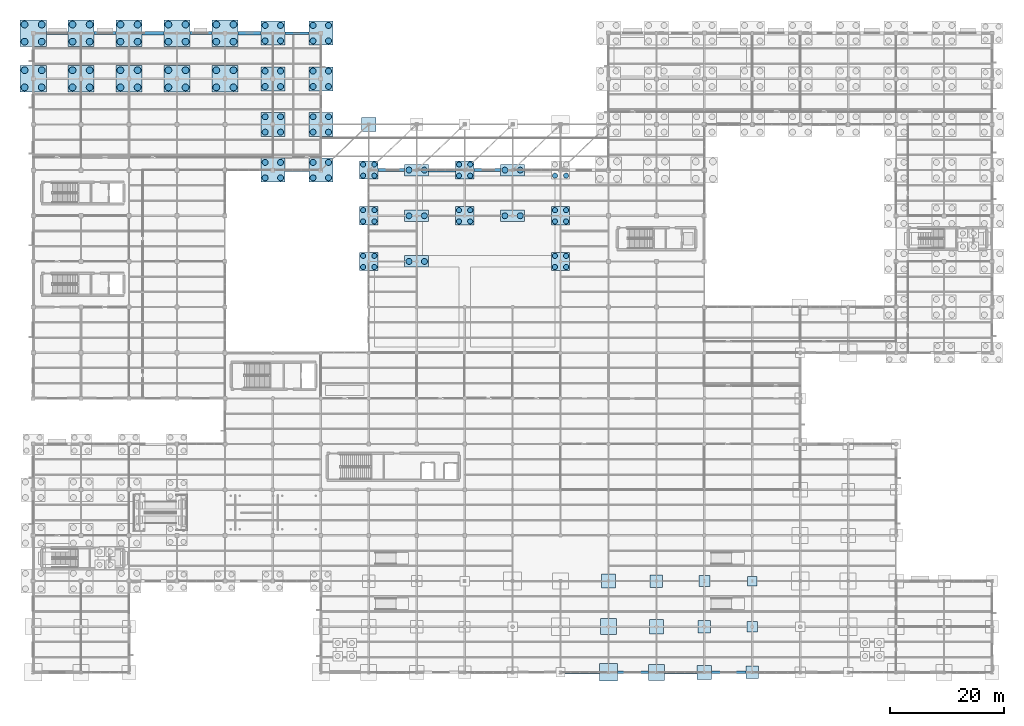
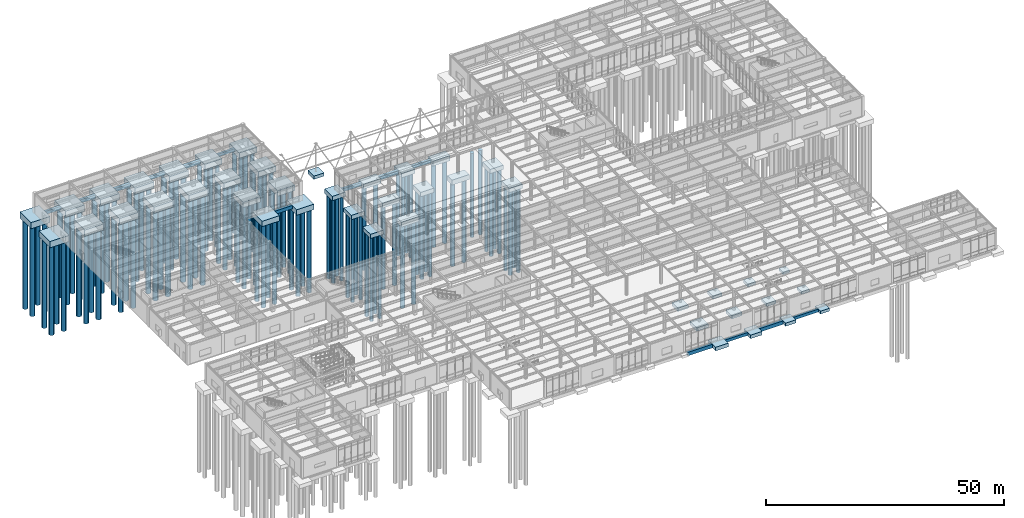
# One storey, part 2 of 138: 112 piles, 57 footings.
"""IFC4 building model written with IfcOpenShell, lengths in metres."""

import ifcopenshell
import ifcopenshell.guid

model = None  # the IFC model being written
_history = None  # IfcOwnerHistory: only IFC2X3 demands one
_inside = {}  # id of a spatial element -> (the spatial element, [elements in it])
_under = {}  # id of a project, library or spatial element -> (it, [spatial elements below it])
_declared = {}  # id of a project -> (the project, [libraries it declares])
_typed = {}  # id of a type object -> (the type object, [elements of that type])
_made_of = {}  # id of a material, layer set ... -> (it, [elements and type objects made of it])


def new_model(schema):
    """Start an empty IFC model of exactly this schema.

    Asked for "IFC4X3", IfcOpenShell would pick the latest addendum, in which some entities
    have other attributes; the version numbers below select the first issue.
    IFC2X3 requires an IfcOwnerHistory on every rooted entity: one is made here for all.
    """
    global model, _history
    if schema == "IFC4X3":
        model = ifcopenshell.file(schema_version=(4, 3, 0, 0))
    else:
        model = ifcopenshell.file(schema=schema)
    _inside.clear()
    _under.clear()
    _declared.clear()
    _typed.clear()
    _made_of.clear()
    _history = None
    if model.schema == "IFC2X3":
        org = make("IfcOrganization", Name="unknown")
        user = make(
            "IfcPersonAndOrganization",
            ThePerson=make("IfcPerson", FamilyName="unknown"),
            TheOrganization=org,
        )
        app = make(
            "IfcApplication",
            ApplicationDeveloper=org,
            Version="unknown",
            ApplicationFullName="unknown",
            ApplicationIdentifier="unknown",
        )
        _history = make(
            "IfcOwnerHistory",
            OwningUser=user,
            OwningApplication=app,
            ChangeAction="ADDED",
            CreationDate=0,
        )
    return model


def make(cls, **values):
    """One entity of the class cls with the attributes given. An attribute that is None is left unset."""
    return model.create_entity(
        cls, **{name: value for name, value in values.items() if value is not None}
    )


def rooted(cls, **values):
    """An entity with a GlobalId (a new one), such as an element, a storey or a relation."""
    return make(cls, GlobalId=ifcopenshell.guid.new(), OwnerHistory=_history, **values)


def si_unit(unit_type, name, prefix=None):
    """IfcSIUnit, for example si_unit("LENGTHUNIT", "METRE", prefix="MILLI")."""
    return make("IfcSIUnit", UnitType=unit_type, Prefix=prefix, Name=name)


def assignment(units):
    """IfcUnitAssignment: the units of a project."""
    return None if units is None else make("IfcUnitAssignment", Units=units)


def point(xyz):
    """IfcCartesianPoint."""
    return None if xyz is None else make("IfcCartesianPoint", Coordinates=xyz)


def direction(xyz):
    """IfcDirection."""
    return None if xyz is None else make("IfcDirection", DirectionRatios=xyz)


def frame(location, z_axis=None, x_axis=None):
    """IfcAxis2Placement3D, a coordinate frame: its origin and axes. An axis left out is left unset."""
    return make(
        "IfcAxis2Placement3D",
        Location=point(location),
        Axis=direction(z_axis),
        RefDirection=direction(x_axis),
    )


def frame_2d(location, x_axis=None):
    """IfcAxis2Placement2D, a coordinate frame in the plane: its origin and x axis."""
    return make(
        "IfcAxis2Placement2D", Location=point(location), RefDirection=direction(x_axis)
    )


def origin():
    """The frame at (0, 0, 0) with its axes left unset."""
    return frame((0.0, 0.0, 0.0))


def origin_2d():
    """The frame at (0, 0) in the plane with its x axis left unset."""
    return frame_2d((0.0, 0.0))


def place(relative_to, where):
    """IfcLocalPlacement: puts the frame where relative to a parent placement (None: the world)."""
    return make(
        "IfcLocalPlacement", PlacementRelTo=relative_to, RelativePlacement=where
    )


def context(
    kind, dimensions, precision=None, world=None, true_north=None, identifier=None
):
    """IfcGeometricRepresentationContext, for example the 3D "Model" context."""
    return make(
        "IfcGeometricRepresentationContext",
        ContextIdentifier=identifier,
        ContextType=kind,
        CoordinateSpaceDimension=dimensions,
        Precision=precision,
        WorldCoordinateSystem=world,
        TrueNorth=true_north,
    )


def subcontext(parent, identifier, kind, view, scale=None):
    """IfcGeometricRepresentationSubContext, for example "Body" below "Model"."""
    return make(
        "IfcGeometricRepresentationSubContext",
        ContextIdentifier=identifier,
        ContextType=kind,
        ParentContext=parent,
        TargetScale=scale,
        TargetView=view,
    )


def project(units=None, contexts=None):
    """IfcProject with its units and contexts."""
    return rooted(
        "IfcProject",
        Name="project",
        RepresentationContexts=contexts,
        UnitsInContext=assignment(units),
    )


def spatial(cls, under=None, at=None, **own):
    """A site, building, storey or space (cls), placed at a placement, below another one or the project."""
    s = rooted(cls, ObjectPlacement=at, **own)
    if under is not None:
        _under.setdefault(under.id(), (under, []))[1].append(s)
    return s


def profile(cls, at=None, kind="AREA", **sizes):
    """A parametric profile (cls). Its sizes go by their IFC names, for example OverallWidth=200.0."""
    return make(cls, ProfileType=kind, Position=at, **sizes)


def rectangle(**sizes):
    """IfcRectangleProfileDef."""
    return profile("IfcRectangleProfileDef", **sizes)


def circle(**sizes):
    """IfcCircleProfileDef."""
    return profile("IfcCircleProfileDef", **sizes)


def extrude(swept, where, along, depth):
    """IfcExtrudedAreaSolid: the profile swept, set in the frame where, extruded along a direction by depth."""
    return make(
        "IfcExtrudedAreaSolid",
        SweptArea=swept,
        Position=where,
        ExtrudedDirection=direction(along),
        Depth=depth,
    )


def shape(context_of_items, identifier, shape_type, items):
    """IfcShapeRepresentation: the items that make up one representation, for example the "Body"."""
    return make(
        "IfcShapeRepresentation",
        ContextOfItems=context_of_items,
        RepresentationIdentifier=identifier,
        RepresentationType=shape_type,
        Items=items,
    )


def material(Name=None, Category=None):
    """IfcMaterial."""
    return make("IfcMaterial", Name=Name, Category=Category)


def material_profile(
    of_material, cross_section, Name=None, Category=None, Priority=None
):
    """IfcMaterialProfile: a cross section and its material."""
    return make(
        "IfcMaterialProfile",
        Name=Name,
        Material=of_material,
        Profile=cross_section,
        Priority=Priority,
        Category=Category,
    )


def profile_set(profiles, Name=None, composite=None):
    """IfcMaterialProfileSet."""
    return make(
        "IfcMaterialProfileSet",
        Name=Name,
        MaterialProfiles=profiles,
        CompositeProfile=composite,
    )


def made_of(thing, what):
    """Note that an element or type object is made of a material, layer set ...; save() writes the relation."""
    if what is not None:
        _made_of.setdefault(what.id(), (what, []))[1].append(thing)
    return thing


def type_object(cls, material=None, **own):
    """A type object (cls), such as IfcWallType, which elements share."""
    return made_of(rooted(cls, **own), material)


def element(
    cls,
    number,
    at=None,
    inside=None,
    cuts=None,
    type_object=None,
    material=None,
    context=None,
    identifier="Body",
    shape_type=None,
    held_by="IfcProductDefinitionShape",
    body=None,
    shapes=None,
    **own,
):
    """One element of the class cls, such as IfcWall. Its Tag is "e" and its number.

    at: its placement. inside: the storey or other place that contains it. cuts: it is an
    opening in that element (IfcRelVoidsElement). A single representation is given by context,
    identifier, shape_type and body (its items); several are given by shapes. held_by: the class
    of the entity that holds the representations. save() writes the other relations.
    """
    e = rooted(cls, Tag="e%d" % number, ObjectPlacement=at, **own)
    if body is not None:
        shapes = [shape(context, identifier, shape_type, body)]
    if shapes is not None:
        e.Representation = make(held_by, Representations=shapes)
    if inside is not None:
        _inside.setdefault(inside.id(), (inside, []))[1].append(e)
    if cuts is not None:
        rooted(
            "IfcRelVoidsElement", RelatingBuildingElement=cuts, RelatedOpeningElement=e
        )
    if type_object is not None:
        _typed.setdefault(type_object.id(), (type_object, []))[1].append(e)
    return made_of(e, material)


def aggregate(whole, parts):
    """IfcRelAggregates: a whole, such as a stair, and the parts it consists of."""
    return rooted("IfcRelAggregates", RelatingObject=whole, RelatedObjects=parts)


def save(model, path):
    """Write the relations noted so far, then the file.

    IfcRelAggregates (storeys below a building ...), IfcRelContainedInSpatialStructure (elements
    in a storey), IfcRelDefinesByType, IfcRelAssociatesMaterial and IfcRelDeclares: one each for
    every whole, place, type object, material and project.
    """
    for whole, parts in _under.values():
        aggregate(whole, parts)
    for where, things in _inside.values():
        rooted(
            "IfcRelContainedInSpatialStructure",
            RelatedElements=things,
            RelatingStructure=where,
        )
    for kind, things in _typed.values():
        rooted("IfcRelDefinesByType", RelatedObjects=things, RelatingType=kind)
    for what, things in _made_of.values():
        rooted("IfcRelAssociatesMaterial", RelatedObjects=things, RelatingMaterial=what)
    for by, libraries in _declared.values():
        rooted("IfcRelDeclares", RelatingContext=by, RelatedDefinitions=libraries)
    model.write(path)


model = new_model("IFC4")

# Units and contexts
model_context = context("Model", 3, precision=1e-05, world=origin(), true_north=direction((0.0, 1.0)))
body_context = subcontext(model_context, "Body", "Model", "MODEL_VIEW")
ifc_project = project(units=[si_unit("LENGTHUNIT", "METRE"), si_unit("AREAUNIT", "SQUARE_METRE"), si_unit("VOLUMEUNIT", "CUBIC_METRE"), si_unit("PLANEANGLEUNIT", "RADIAN"), si_unit("MASSUNIT", "GRAM", prefix="KILO")], contexts=[model_context])

# Site, building, storey
site_placement = place(None, origin())
site = spatial("IfcSite", under=ifc_project, at=site_placement, CompositionType="ELEMENT")
building_placement = place(site_placement, origin())
building = spatial("IfcBuilding", under=site, at=building_placement, Name="Kranzveld Transit Interchange", CompositionType="ELEMENT")
storey_placement = place(building_placement, origin())
storey = spatial("IfcBuildingStorey", under=building, at=storey_placement, Name="L00", CompositionType="ELEMENT", Elevation=0.0)

# Footings
ifc_material_1 = material(Name="Concrete C40/50", Category="concrete")
ifc_material_profile_1 = material_profile(ifc_material_1, rectangle(XDim=0.449951171875, YDim=0.75, at=origin_2d()), Name="RC 450x750")
ifc_profile_set_1 = profile_set([ifc_material_profile_1], Name="Concrete C40/50")
footing_type_1 = type_object("IfcFootingType", Name="Footing Beam 450x750 C40/50", PredefinedType="FOOTING_BEAM", material=ifc_profile_set_1)
footing_1_placement = place(storey_placement, frame((44.10009765625, 112.0, -0.794921875), z_axis=(1.0, 0.0, 0.0), x_axis=(0.0, 1.0, 0.0)))
element("IfcFooting", 1, at=footing_1_placement, inside=storey, type_object=footing_type_1, Name="Ground Tie Beam 06-07/Q", PredefinedType="FOOTING_BEAM", context=body_context, shape_type="SweptSolid", body=[
    extrude(rectangle(XDim=0.449951171875, YDim=0.75, at=origin_2d()), origin(), (0.0, 0.0, 1.0), 4.199951171875),
])
footing_2_placement = place(storey_placement, frame((102.35009765625, 0.0, -0.794921875), z_axis=(1.0, 0.0, 0.0), x_axis=(0.0, 1.0, 0.0)))
element("IfcFooting", 2, at=footing_2_placement, inside=storey, type_object=footing_type_1, Name="Ground Tie Beam 13-14/A", PredefinedType="FOOTING_BEAM", context=body_context, shape_type="SweptSolid", body=[
    extrude(rectangle(XDim=0.449951171875, YDim=0.75, at=origin_2d()), origin(), (0.0, 0.0, 1.0), 5.449951171875),
])
footing_3_placement = place(storey_placement, frame((118.85009765625, 0.0, -0.794921875), z_axis=(1.0, 0.0, 0.0), x_axis=(0.0, 1.0, 0.0)))
element("IfcFooting", 3, at=footing_3_placement, inside=storey, type_object=footing_type_1, Name="Ground Tie Beam 15-16/A", PredefinedType="FOOTING_BEAM", context=body_context, shape_type="SweptSolid", body=[
    extrude(rectangle(XDim=0.449951171875, YDim=0.75, at=origin_2d()), origin(), (0.0, 0.0, 1.0), 6.0498046875),
])
ifc_material_2 = material(Name="Concrete C40/50", Category="concrete")
ifc_material_profile_2 = material_profile(ifc_material_2, rectangle(XDim=0.5, YDim=0.85009765625, at=origin_2d()), Name="RC 500x850")
ifc_profile_set_2 = profile_set([ifc_material_profile_2], Name="Concrete C40/50")
footing_type_2 = type_object("IfcFootingType", Name="Footing Beam 500x850 C40/50", PredefinedType="FOOTING_BEAM", material=ifc_profile_set_2)
for number, where, z_axis, x_axis, name in (
    (4, (2.300048828125, 112.0, -0.844970703125), (1.0, 0.0, 0.0), (0.0, 1.0, 0.0), "Ground Tie Beam 01-02/Q"),
    (5, (27.5, 112.0, -0.844970703125), (1.0, 0.0, 0.0), (0.0, 1.0, 0.0), "Ground Tie Beam 04-05/Q"),
):
    element("IfcFooting", number, at=place(storey_placement, frame(where, z_axis=z_axis, x_axis=x_axis)), inside=storey, type_object=footing_type_2, Name=name, PredefinedType="FOOTING_BEAM", context=body_context, shape_type="SweptSolid", body=[
        extrude(rectangle(XDim=0.5, YDim=0.85009765625, at=origin_2d()), origin(), (0.0, 0.0, 1.0), 3.800048828125),
    ])
footing_4_placement = place(storey_placement, frame((44.10009765625, 88.0, -0.844970703125), z_axis=(1.0, 0.0, 0.0), x_axis=(0.0, 1.0, 0.0)))
element("IfcFooting", 6, at=footing_4_placement, inside=storey, type_object=footing_type_2, Name="Ground Tie Beam 06-07/M", PredefinedType="FOOTING_BEAM", context=body_context, shape_type="SweptSolid", body=[
    extrude(rectangle(XDim=0.5, YDim=0.85009765625, at=origin_2d()), origin(), (0.0, 0.0, 1.0), 4.199951171875),
])
footing_5_placement = place(storey_placement, frame((60.39990234375, 88.0, -0.844970703125), z_axis=(1.0, 0.0, 0.0), x_axis=(0.0, 1.0, 0.0)))
element("IfcFooting", 7, at=footing_5_placement, inside=storey, type_object=footing_type_2, Name="Ground Tie Beam 08-09/M", PredefinedType="FOOTING_BEAM", context=body_context, shape_type="SweptSolid", body=[
    extrude(rectangle(XDim=0.5, YDim=0.85009765625, at=origin_2d()), origin(), (0.0, 0.0, 1.0), 4.7001953125),
])
footing_6_placement = place(storey_placement, frame((77.199951171875, 88.0, -0.844970703125), z_axis=(1.0, 0.0, 0.0), x_axis=(0.0, 1.0, 0.0)))
element("IfcFooting", 8, at=footing_6_placement, inside=storey, type_object=footing_type_2, Name="Ground Tie Beam 10-11/M", PredefinedType="FOOTING_BEAM", context=body_context, shape_type="SweptSolid", body=[
    extrude(rectangle(XDim=0.5, YDim=0.85009765625, at=origin_2d()), origin(), (0.0, 0.0, 1.0), 4.699951171875),
])
ifc_material_3 = material(Name="Concrete C40/50", Category="concrete")
ifc_material_profile_3 = material_profile(ifc_material_3, rectangle(XDim=0.550048828125, YDim=0.89990234375, at=origin_2d()), Name="RC 550x900")
ifc_profile_set_3 = profile_set([ifc_material_profile_3], Name="Concrete C40/50")
footing_type_3 = type_object("IfcFootingType", Name="Footing Beam 550x900 C40/50", PredefinedType="FOOTING_BEAM", material=ifc_profile_set_3)
footing_7_placement = place(storey_placement, frame((10.699951171875, 112.0, -0.8701171875), z_axis=(1.0, 0.0, 0.0), x_axis=(0.0, 1.0, 0.0)))
element("IfcFooting", 9, at=footing_7_placement, inside=storey, type_object=footing_type_3, Name="Ground Tie Beam 02-03/Q", PredefinedType="FOOTING_BEAM", context=body_context, shape_type="SweptSolid", body=[
    extrude(rectangle(XDim=0.550048828125, YDim=0.89990234375, at=origin_2d()), origin(), (0.0, 0.0, 1.0), 3.800048828125),
])
footing_8_placement = place(storey_placement, frame((93.22509765625, 0.0, -0.8701171875), z_axis=(1.0, 0.0, 0.0), x_axis=(0.0, 1.0, 0.0)))
element("IfcFooting", 10, at=footing_8_placement, inside=storey, type_object=footing_type_3, Name="Ground Tie Beam 12-13/A", PredefinedType="FOOTING_BEAM", context=body_context, shape_type="SweptSolid", body=[
    extrude(rectangle(XDim=0.550048828125, YDim=0.89990234375, at=origin_2d()), origin(), (0.0, 0.0, 1.0), 6.02490234375),
])
footing_9_placement = place(storey_placement, frame((110.60009765625, 0.0, -0.8701171875), z_axis=(1.0, 0.0, 0.0), x_axis=(0.0, 1.0, 0.0)))
element("IfcFooting", 11, at=footing_9_placement, inside=storey, type_object=footing_type_3, Name="Ground Tie Beam 14-15/A", PredefinedType="FOOTING_BEAM", context=body_context, shape_type="SweptSolid", body=[
    extrude(rectangle(XDim=0.550048828125, YDim=0.89990234375, at=origin_2d()), origin(), (0.0, 0.0, 1.0), 5.75),
])
ifc_material_4 = material(Name="Concrete C40/50", Category="concrete")
ifc_material_profile_4 = material_profile(ifc_material_4, rectangle(XDim=0.60009765625, YDim=0.949951171875, at=origin_2d()), Name="RC 600x950")
ifc_profile_set_4 = profile_set([ifc_material_profile_4], Name="Concrete C40/50")
footing_type_4 = type_object("IfcFootingType", Name="Footing Beam 600x950 C40/50", PredefinedType="FOOTING_BEAM", material=ifc_profile_set_4)
footing_10_placement = place(storey_placement, frame((19.10009765625, 112.0, -0.89501953125), z_axis=(1.0, 0.0, 0.0), x_axis=(0.0, 1.0, 0.0)))
element("IfcFooting", 12, at=footing_10_placement, inside=storey, type_object=footing_type_4, Name="Ground Tie Beam 03-04/Q", PredefinedType="FOOTING_BEAM", context=body_context, shape_type="SweptSolid", body=[
    extrude(rectangle(XDim=0.60009765625, YDim=0.949951171875, at=origin_2d()), origin(), (0.0, 0.0, 1.0), 3.7998046875),
])
footing_11_placement = place(storey_placement, frame((35.89990234375, 112.0, -0.89501953125), z_axis=(1.0, 0.0, 0.0), x_axis=(0.0, 1.0, 0.0)))
element("IfcFooting", 13, at=footing_11_placement, inside=storey, type_object=footing_type_4, Name="Ground Tie Beam 05-06/Q", PredefinedType="FOOTING_BEAM", context=body_context, shape_type="SweptSolid", body=[
    extrude(rectangle(XDim=0.60009765625, YDim=0.949951171875, at=origin_2d()), origin(), (0.0, 0.0, 1.0), 4.0),
])
footing_12_placement = place(storey_placement, frame((69.300048828125, 88.0, -0.89501953125), z_axis=(1.0, 0.0, 0.0), x_axis=(0.0, 1.0, 0.0)))
element("IfcFooting", 14, at=footing_12_placement, inside=storey, type_object=footing_type_4, Name="Ground Tie Beam 09-10/M", PredefinedType="FOOTING_BEAM", context=body_context, shape_type="SweptSolid", body=[
    extrude(rectangle(XDim=0.60009765625, YDim=0.949951171875, at=origin_2d()), origin(), (0.0, 0.0, 1.0), 4.699951171875),
])
ifc_material_5 = material(Name="Concrete C40/50", Category="concrete")
footing_type_5 = type_object("IfcFootingType", Name="Pad Footing 1650x1650x650 C40/50", PredefinedType="PAD_FOOTING", material=ifc_material_5)
footing_13_placement = place(storey_placement, frame((126.0, 16.0, -1.070068359375), z_axis=(0.0, 0.0, 1.0), x_axis=(1.0, 0.0, 0.0)))
element("IfcFooting", 15, at=footing_13_placement, inside=storey, type_object=footing_type_5, Name="Pad Footing 16/C", PredefinedType="PAD_FOOTING", context=body_context, shape_type="SweptSolid", body=[
    extrude(rectangle(XDim=1.64990234375, YDim=1.64990234375, at=origin_2d()), origin(), (0.0, 0.0, 1.0), 0.64990234375),
])
ifc_material_6 = material(Name="Concrete C40/50", Category="concrete")
footing_type_6 = type_object("IfcFootingType", Name="Pad Footing 1900x1900x700 C40/50", PredefinedType="PAD_FOOTING", material=ifc_material_6)
for number, where, z_axis, x_axis, name in (
    (16, (117.60009765625, 16.0, -1.1201171875), (0.0, 0.0, 1.0), (1.0, 0.0, 0.0), "Pad Footing 15/C"),
    (17, (126.0, 8.0, -1.1201171875), (0.0, 0.0, 1.0), (1.0, 0.0, 0.0), "Pad Footing 16/B"),
):
    element("IfcFooting", number, at=place(storey_placement, frame(where, z_axis=z_axis, x_axis=x_axis)), inside=storey, type_object=footing_type_6, Name=name, PredefinedType="PAD_FOOTING", context=body_context, shape_type="SweptSolid", body=[
        extrude(rectangle(XDim=1.89990234375, YDim=1.89990234375, at=origin_2d()), origin(), (0.0, 0.0, 1.0), 0.699951171875),
    ])
ifc_material_7 = material(Name="Concrete C40/50", Category="concrete")
footing_type_7 = type_object("IfcFootingType", Name="Pad Footing 2200x2200x760 C40/50", PredefinedType="PAD_FOOTING", material=ifc_material_7)
for number, where, z_axis, x_axis, name in (
    (18, (109.199951171875, 16.0, -1.18017578125), (0.0, 0.0, 1.0), (1.0, 0.0, 0.0), "Pad Footing 14/C"),
    (19, (117.60009765625, 8.0, -1.18017578125), (0.0, 0.0, 1.0), (1.0, 0.0, 0.0), "Pad Footing 15/B"),
    (20, (126.0, 0.0, -1.18017578125), (0.0, 0.0, 1.0), (1.0, 0.0, 0.0), "Pad Footing 16/A"),
):
    element("IfcFooting", number, at=place(storey_placement, frame(where, z_axis=z_axis, x_axis=x_axis)), inside=storey, type_object=footing_type_7, Name=name, PredefinedType="PAD_FOOTING", context=body_context, shape_type="SweptSolid", body=[
        extrude(rectangle(XDim=2.199951171875, YDim=2.199951171875, at=origin_2d()), origin(), (0.0, 0.0, 1.0), 0.760009765625),
    ])
ifc_material_8 = material(Name="Concrete C40/50", Category="concrete")
footing_type_8 = type_object("IfcFootingType", Name="Pad Footing 2500x2500x820 C40/50", PredefinedType="PAD_FOOTING", material=ifc_material_8)
for number, where, z_axis, x_axis, name in (
    (21, (58.800048828125, 96.0, -1.240234375), (0.0, 0.0, 1.0), (1.0, 0.0, 0.0), "Pad Footing 08/N"),
    (22, (100.800048828125, 16.0, -1.240234375), (0.0, 0.0, 1.0), (1.0, 0.0, 0.0), "Pad Footing 13/C"),
    (23, (109.199951171875, 8.0, -1.240234375), (0.0, 0.0, 1.0), (1.0, 0.0, 0.0), "Pad Footing 14/B"),
    (24, (117.60009765625, 0.0, -1.240234375), (0.0, 0.0, 1.0), (1.0, 0.0, 0.0), "Pad Footing 15/A"),
):
    element("IfcFooting", number, at=place(storey_placement, frame(where, z_axis=z_axis, x_axis=x_axis)), inside=storey, type_object=footing_type_8, Name=name, PredefinedType="PAD_FOOTING", context=body_context, shape_type="SweptSolid", body=[
        extrude(rectangle(XDim=2.5, YDim=2.5, at=origin_2d()), origin(), (0.0, 0.0, 1.0), 0.820068359375),
    ])
ifc_material_9 = material(Name="Concrete C40/50", Category="concrete")
footing_type_9 = type_object("IfcFootingType", Name="Pad Footing 2800x2800x900 C40/50", PredefinedType="PAD_FOOTING", material=ifc_material_9)
for number, where, z_axis, x_axis, name in (
    (25, (100.800048828125, 8.0, -1.320068359375), (0.0, 0.0, 1.0), (1.0, 0.0, 0.0), "Pad Footing 13/B"),
    (26, (109.199951171875, 0.0, -1.320068359375), (0.0, 0.0, 1.0), (1.0, 0.0, 0.0), "Pad Footing 14/A"),
):
    element("IfcFooting", number, at=place(storey_placement, frame(where, z_axis=z_axis, x_axis=x_axis)), inside=storey, type_object=footing_type_9, Name=name, PredefinedType="PAD_FOOTING", context=body_context, shape_type="SweptSolid", body=[
        extrude(rectangle(XDim=2.800048828125, YDim=2.800048828125, at=origin_2d()), origin(), (0.0, 0.0, 1.0), 0.89990234375),
    ])
ifc_material_10 = material(Name="Concrete C40/50", Category="concrete")
footing_type_10 = type_object("IfcFootingType", Name="Pad Footing 3100x3100x950 C40/50", PredefinedType="PAD_FOOTING", material=ifc_material_10)
footing_14_placement = place(storey_placement, frame((100.800048828125, 0.0, -1.3701171875), z_axis=(0.0, 0.0, 1.0), x_axis=(1.0, 0.0, 0.0)))
element("IfcFooting", 27, at=footing_14_placement, inside=storey, type_object=footing_type_10, Name="Pad Footing 13/A", PredefinedType="PAD_FOOTING", context=body_context, shape_type="SweptSolid", body=[
    extrude(rectangle(XDim=3.10009765625, YDim=3.10009765625, at=origin_2d()), origin(), (0.0, 0.0, 1.0), 0.949951171875),
])

# Piles
ifc_material_11 = material(Name="Concrete C40/50", Category="concrete")
ifc_material_profile_5 = material_profile(ifc_material_11, circle(Radius=0.52490234375, at=origin_2d()), Name="BORED PILE 1050")
ifc_profile_set_5 = profile_set([ifc_material_profile_5], Name="Concrete C40/50")
pile_type_1 = type_object("IfcPileType", Name="Pile Bored 1050 C40/50", PredefinedType="BORED", material=ifc_profile_set_5)
for number, where, z_axis, x_axis, name in (
    (28, (40.64990234375, 86.64990234375, -1.719970703125), (0.0, 0.0, -1.0), (1.0, 0.0, 0.0), "Bored Pile 06/M-P1"),
    (29, (43.35009765625, 86.64990234375, -1.719970703125), (0.0, 0.0, -1.0), (1.0, 0.0, 0.0), "Bored Pile 06/M-P2"),
    (30, (40.64990234375, 89.35009765625, -1.719970703125), (0.0, 0.0, -1.0), (1.0, 0.0, 0.0), "Bored Pile 06/M-P3"),
    (31, (43.35009765625, 89.35009765625, -1.719970703125), (0.0, 0.0, -1.0), (1.0, 0.0, 0.0), "Bored Pile 06/M-P4"),
    (32, (40.64990234375, 94.64990234375, -1.719970703125), (0.0, 0.0, -1.0), (1.0, 0.0, 0.0), "Bored Pile 06/N-P1"),
    (33, (43.35009765625, 94.64990234375, -1.719970703125), (0.0, 0.0, -1.0), (1.0, 0.0, 0.0), "Bored Pile 06/N-P2"),
    (34, (40.64990234375, 97.35009765625, -1.719970703125), (0.0, 0.0, -1.0), (1.0, 0.0, 0.0), "Bored Pile 06/N-P3"),
    (35, (43.35009765625, 97.35009765625, -1.719970703125), (0.0, 0.0, -1.0), (1.0, 0.0, 0.0), "Bored Pile 06/N-P4"),
    (36, (40.64990234375, 102.64990234375, -1.719970703125), (0.0, 0.0, -1.0), (1.0, 0.0, 0.0), "Bored Pile 06/P-P1"),
    (37, (43.35009765625, 102.64990234375, -1.719970703125), (0.0, 0.0, -1.0), (1.0, 0.0, 0.0), "Bored Pile 06/P-P2"),
    (38, (40.64990234375, 105.35009765625, -1.719970703125), (0.0, 0.0, -1.0), (1.0, 0.0, 0.0), "Bored Pile 06/P-P3"),
    (39, (43.35009765625, 105.35009765625, -1.719970703125), (0.0, 0.0, -1.0), (1.0, 0.0, 0.0), "Bored Pile 06/P-P4"),
    (40, (40.64990234375, 110.64990234375, -1.719970703125), (0.0, 0.0, -1.0), (1.0, 0.0, 0.0), "Bored Pile 06/Q-P1"),
    (41, (43.35009765625, 110.64990234375, -1.719970703125), (0.0, 0.0, -1.0), (1.0, 0.0, 0.0), "Bored Pile 06/Q-P2"),
    (42, (40.64990234375, 113.35009765625, -1.719970703125), (0.0, 0.0, -1.0), (1.0, 0.0, 0.0), "Bored Pile 06/Q-P3"),
    (43, (43.35009765625, 113.35009765625, -1.719970703125), (0.0, 0.0, -1.0), (1.0, 0.0, 0.0), "Bored Pile 06/Q-P4"),
    (44, (49.050048828125, 86.64990234375, -1.719970703125), (0.0, 0.0, -1.0), (1.0, 0.0, 0.0), "Bored Pile 07/M-P1"),
    (45, (51.75, 86.64990234375, -1.719970703125), (0.0, 0.0, -1.0), (1.0, 0.0, 0.0), "Bored Pile 07/M-P2"),
    (46, (49.050048828125, 89.35009765625, -1.719970703125), (0.0, 0.0, -1.0), (1.0, 0.0, 0.0), "Bored Pile 07/M-P3"),
    (47, (51.75, 89.35009765625, -1.719970703125), (0.0, 0.0, -1.0), (1.0, 0.0, 0.0), "Bored Pile 07/M-P4"),
    (48, (49.050048828125, 94.64990234375, -1.719970703125), (0.0, 0.0, -1.0), (1.0, 0.0, 0.0), "Bored Pile 07/N-P1"),
    (49, (51.75, 94.64990234375, -1.719970703125), (0.0, 0.0, -1.0), (1.0, 0.0, 0.0), "Bored Pile 07/N-P2"),
    (50, (49.050048828125, 97.35009765625, -1.719970703125), (0.0, 0.0, -1.0), (1.0, 0.0, 0.0), "Bored Pile 07/N-P3"),
    (51, (51.75, 97.35009765625, -1.719970703125), (0.0, 0.0, -1.0), (1.0, 0.0, 0.0), "Bored Pile 07/N-P4"),
    (52, (49.050048828125, 102.64990234375, -1.719970703125), (0.0, 0.0, -1.0), (1.0, 0.0, 0.0), "Bored Pile 07/P-P1"),
    (53, (51.75, 102.64990234375, -1.719970703125), (0.0, 0.0, -1.0), (1.0, 0.0, 0.0), "Bored Pile 07/P-P2"),
    (54, (49.050048828125, 105.35009765625, -1.719970703125), (0.0, 0.0, -1.0), (1.0, 0.0, 0.0), "Bored Pile 07/P-P3"),
    (55, (51.75, 105.35009765625, -1.719970703125), (0.0, 0.0, -1.0), (1.0, 0.0, 0.0), "Bored Pile 07/P-P4"),
    (56, (49.050048828125, 110.64990234375, -1.719970703125), (0.0, 0.0, -1.0), (1.0, 0.0, 0.0), "Bored Pile 07/Q-P1"),
    (57, (51.75, 110.64990234375, -1.719970703125), (0.0, 0.0, -1.0), (1.0, 0.0, 0.0), "Bored Pile 07/Q-P2"),
    (58, (49.050048828125, 113.35009765625, -1.719970703125), (0.0, 0.0, -1.0), (1.0, 0.0, 0.0), "Bored Pile 07/Q-P3"),
    (59, (51.75, 113.35009765625, -1.719970703125), (0.0, 0.0, -1.0), (1.0, 0.0, 0.0), "Bored Pile 07/Q-P4"),
):
    element("IfcPile", number, at=place(storey_placement, frame(where, z_axis=z_axis, x_axis=x_axis)), inside=storey, type_object=pile_type_1, Name=name, PredefinedType="BORED", context=body_context, shape_type="SweptSolid", body=[
        extrude(circle(Radius=0.52490234375, at=origin_2d()), origin(), (0.0, 0.0, 1.0), 21.280029296875),
    ])
for number, where, z_axis, x_axis, name in (
    (60, (65.85009765625, 72.0, -1.6201171875), (0.0, 0.0, -1.0), (1.0, 0.0, 0.0), "Bored Pile 09/K-P1"),
    (61, (68.550048828125, 72.0, -1.6201171875), (0.0, 0.0, -1.0), (1.0, 0.0, 0.0), "Bored Pile 09/K-P2"),
    (62, (65.85009765625, 80.0, -1.6201171875), (0.0, 0.0, -1.0), (1.0, 0.0, 0.0), "Bored Pile 09/L-P1"),
    (63, (68.550048828125, 80.0, -1.6201171875), (0.0, 0.0, -1.0), (1.0, 0.0, 0.0), "Bored Pile 09/L-P2"),
    (64, (65.85009765625, 88.0, -1.6201171875), (0.0, 0.0, -1.0), (1.0, 0.0, 0.0), "Bored Pile 09/M-P1"),
    (65, (68.550048828125, 88.0, -1.6201171875), (0.0, 0.0, -1.0), (1.0, 0.0, 0.0), "Bored Pile 09/M-P2"),
    (66, (82.64990234375, 80.0, -1.6201171875), (0.0, 0.0, -1.0), (1.0, 0.0, 0.0), "Bored Pile 11/L-P1"),
    (67, (85.35009765625, 80.0, -1.6201171875), (0.0, 0.0, -1.0), (1.0, 0.0, 0.0), "Bored Pile 11/L-P2"),
    (68, (82.64990234375, 88.0, -1.6201171875), (0.0, 0.0, -1.0), (1.0, 0.0, 0.0), "Bored Pile 11/M-P1"),
    (69, (85.35009765625, 88.0, -1.6201171875), (0.0, 0.0, -1.0), (1.0, 0.0, 0.0), "Bored Pile 11/M-P2"),
):
    element("IfcPile", number, at=place(storey_placement, frame(where, z_axis=z_axis, x_axis=x_axis)), inside=storey, type_object=pile_type_1, Name=name, PredefinedType="BORED", context=body_context, shape_type="SweptSolid", body=[
        extrude(circle(Radius=0.52490234375, at=origin_2d()), origin(), (0.0, 0.0, 1.0), 21.3798828125),
    ])
ifc_material_12 = material(Name="Concrete C40/50", Category="concrete")
ifc_material_profile_6 = material_profile(ifc_material_12, circle(Radius=0.60009765625, at=origin_2d()), Name="BORED PILE 1200")
ifc_profile_set_6 = profile_set([ifc_material_profile_6], Name="Concrete C40/50")
pile_type_2 = type_object("IfcPileType", Name="Pile Bored 1200 C40/50", PredefinedType="BORED", material=ifc_profile_set_6)
for number, where, z_axis, x_axis, name in (
    (70, (-1.5, 102.5, -1.919921875), (0.0, 0.0, -1.0), (1.0, 0.0, 0.0), "Bored Pile 01/P-P1"),
    (71, (1.5, 102.5, -1.919921875), (0.0, 0.0, -1.0), (1.0, 0.0, 0.0), "Bored Pile 01/P-P2"),
    (72, (-1.5, 105.5, -1.919921875), (0.0, 0.0, -1.0), (1.0, 0.0, 0.0), "Bored Pile 01/P-P3"),
    (73, (1.5, 105.5, -1.919921875), (0.0, 0.0, -1.0), (1.0, 0.0, 0.0), "Bored Pile 01/P-P4"),
    (74, (-1.5, 110.5, -1.919921875), (0.0, 0.0, -1.0), (1.0, 0.0, 0.0), "Bored Pile 01/Q-P1"),
    (75, (1.5, 110.5, -1.919921875), (0.0, 0.0, -1.0), (1.0, 0.0, 0.0), "Bored Pile 01/Q-P2"),
    (76, (-1.5, 113.5, -1.919921875), (0.0, 0.0, -1.0), (1.0, 0.0, 0.0), "Bored Pile 01/Q-P3"),
    (77, (1.5, 113.5, -1.919921875), (0.0, 0.0, -1.0), (1.0, 0.0, 0.0), "Bored Pile 01/Q-P4"),
    (78, (6.89990234375, 102.5, -1.919921875), (0.0, 0.0, -1.0), (1.0, 0.0, 0.0), "Bored Pile 02/P-P1"),
    (79, (9.89990234375, 102.5, -1.919921875), (0.0, 0.0, -1.0), (1.0, 0.0, 0.0), "Bored Pile 02/P-P2"),
    (80, (6.89990234375, 105.5, -1.919921875), (0.0, 0.0, -1.0), (1.0, 0.0, 0.0), "Bored Pile 02/P-P3"),
    (81, (9.89990234375, 105.5, -1.919921875), (0.0, 0.0, -1.0), (1.0, 0.0, 0.0), "Bored Pile 02/P-P4"),
    (82, (6.89990234375, 110.5, -1.919921875), (0.0, 0.0, -1.0), (1.0, 0.0, 0.0), "Bored Pile 02/Q-P1"),
    (83, (9.89990234375, 110.5, -1.919921875), (0.0, 0.0, -1.0), (1.0, 0.0, 0.0), "Bored Pile 02/Q-P2"),
    (84, (6.89990234375, 113.5, -1.919921875), (0.0, 0.0, -1.0), (1.0, 0.0, 0.0), "Bored Pile 02/Q-P3"),
    (85, (9.89990234375, 113.5, -1.919921875), (0.0, 0.0, -1.0), (1.0, 0.0, 0.0), "Bored Pile 02/Q-P4"),
    (86, (15.300048828125, 102.5, -1.919921875), (0.0, 0.0, -1.0), (1.0, 0.0, 0.0), "Bored Pile 03/P-P1"),
    (87, (18.300048828125, 102.5, -1.919921875), (0.0, 0.0, -1.0), (1.0, 0.0, 0.0), "Bored Pile 03/P-P2"),
    (88, (15.300048828125, 105.5, -1.919921875), (0.0, 0.0, -1.0), (1.0, 0.0, 0.0), "Bored Pile 03/P-P3"),
    (89, (18.300048828125, 105.5, -1.919921875), (0.0, 0.0, -1.0), (1.0, 0.0, 0.0), "Bored Pile 03/P-P4"),
    (90, (15.300048828125, 110.5, -1.919921875), (0.0, 0.0, -1.0), (1.0, 0.0, 0.0), "Bored Pile 03/Q-P1"),
    (91, (18.300048828125, 110.5, -1.919921875), (0.0, 0.0, -1.0), (1.0, 0.0, 0.0), "Bored Pile 03/Q-P2"),
    (92, (15.300048828125, 113.5, -1.919921875), (0.0, 0.0, -1.0), (1.0, 0.0, 0.0), "Bored Pile 03/Q-P3"),
    (93, (18.300048828125, 113.5, -1.919921875), (0.0, 0.0, -1.0), (1.0, 0.0, 0.0), "Bored Pile 03/Q-P4"),
    (94, (23.699951171875, 102.5, -1.919921875), (0.0, 0.0, -1.0), (1.0, 0.0, 0.0), "Bored Pile 04/P-P1"),
    (95, (26.699951171875, 102.5, -1.919921875), (0.0, 0.0, -1.0), (1.0, 0.0, 0.0), "Bored Pile 04/P-P2"),
    (96, (23.699951171875, 105.5, -1.919921875), (0.0, 0.0, -1.0), (1.0, 0.0, 0.0), "Bored Pile 04/P-P3"),
    (97, (26.699951171875, 105.5, -1.919921875), (0.0, 0.0, -1.0), (1.0, 0.0, 0.0), "Bored Pile 04/P-P4"),
    (98, (23.699951171875, 110.5, -1.919921875), (0.0, 0.0, -1.0), (1.0, 0.0, 0.0), "Bored Pile 04/Q-P1"),
    (99, (26.699951171875, 110.5, -1.919921875), (0.0, 0.0, -1.0), (1.0, 0.0, 0.0), "Bored Pile 04/Q-P2"),
    (100, (23.699951171875, 113.5, -1.919921875), (0.0, 0.0, -1.0), (1.0, 0.0, 0.0), "Bored Pile 04/Q-P3"),
    (101, (26.699951171875, 113.5, -1.919921875), (0.0, 0.0, -1.0), (1.0, 0.0, 0.0), "Bored Pile 04/Q-P4"),
    (102, (32.10009765625, 102.5, -1.919921875), (0.0, 0.0, -1.0), (1.0, 0.0, 0.0), "Bored Pile 05/P-P1"),
    (103, (35.10009765625, 102.5, -1.919921875), (0.0, 0.0, -1.0), (1.0, 0.0, 0.0), "Bored Pile 05/P-P2"),
    (104, (32.10009765625, 105.5, -1.919921875), (0.0, 0.0, -1.0), (1.0, 0.0, 0.0), "Bored Pile 05/P-P3"),
    (105, (35.10009765625, 105.5, -1.919921875), (0.0, 0.0, -1.0), (1.0, 0.0, 0.0), "Bored Pile 05/P-P4"),
    (106, (32.10009765625, 110.5, -1.919921875), (0.0, 0.0, -1.0), (1.0, 0.0, 0.0), "Bored Pile 05/Q-P1"),
    (107, (35.10009765625, 110.5, -1.919921875), (0.0, 0.0, -1.0), (1.0, 0.0, 0.0), "Bored Pile 05/Q-P2"),
    (108, (32.10009765625, 113.5, -1.919921875), (0.0, 0.0, -1.0), (1.0, 0.0, 0.0), "Bored Pile 05/Q-P3"),
    (109, (35.10009765625, 113.5, -1.919921875), (0.0, 0.0, -1.0), (1.0, 0.0, 0.0), "Bored Pile 05/Q-P4"),
):
    element("IfcPile", number, at=place(storey_placement, frame(where, z_axis=z_axis, x_axis=x_axis)), inside=storey, type_object=pile_type_2, Name=name, PredefinedType="BORED", context=body_context, shape_type="SweptSolid", body=[
        extrude(circle(Radius=0.60009765625, at=origin_2d()), origin(), (0.0, 0.0, 1.0), 22.8798828125),
    ])
ifc_material_13 = material(Name="Concrete C40/50", Category="concrete")
ifc_material_profile_7 = material_profile(ifc_material_13, circle(Radius=0.449951171875, at=origin_2d()), Name="BORED PILE 900")
ifc_profile_set_7 = profile_set([ifc_material_profile_7], Name="Concrete C40/50")
pile_type_3 = type_object("IfcPileType", Name="Pile Bored 900 C40/50", PredefinedType="BORED", material=ifc_profile_set_7)
for number, where, z_axis, x_axis, name in (
    (110, (57.820068359375, 71.02001953125, -1.419921875), (0.0, 0.0, -1.0), (1.0, 0.0, 0.0), "Bored Pile 08/K-P1"),
    (111, (59.780029296875, 71.02001953125, -1.419921875), (0.0, 0.0, -1.0), (1.0, 0.0, 0.0), "Bored Pile 08/K-P2"),
    (112, (57.820068359375, 72.97998046875, -1.419921875), (0.0, 0.0, -1.0), (1.0, 0.0, 0.0), "Bored Pile 08/K-P3"),
    (113, (59.780029296875, 72.97998046875, -1.419921875), (0.0, 0.0, -1.0), (1.0, 0.0, 0.0), "Bored Pile 08/K-P4"),
    (114, (57.820068359375, 79.02001953125, -1.419921875), (0.0, 0.0, -1.0), (1.0, 0.0, 0.0), "Bored Pile 08/L-P1"),
    (115, (59.780029296875, 79.02001953125, -1.419921875), (0.0, 0.0, -1.0), (1.0, 0.0, 0.0), "Bored Pile 08/L-P2"),
    (116, (57.820068359375, 80.97998046875, -1.419921875), (0.0, 0.0, -1.0), (1.0, 0.0, 0.0), "Bored Pile 08/L-P3"),
    (117, (59.780029296875, 80.97998046875, -1.419921875), (0.0, 0.0, -1.0), (1.0, 0.0, 0.0), "Bored Pile 08/L-P4"),
    (118, (57.820068359375, 87.02001953125, -1.419921875), (0.0, 0.0, -1.0), (1.0, 0.0, 0.0), "Bored Pile 08/M-P1"),
    (119, (59.780029296875, 87.02001953125, -1.419921875), (0.0, 0.0, -1.0), (1.0, 0.0, 0.0), "Bored Pile 08/M-P2"),
    (120, (57.820068359375, 88.97998046875, -1.419921875), (0.0, 0.0, -1.0), (1.0, 0.0, 0.0), "Bored Pile 08/M-P3"),
    (121, (59.780029296875, 88.97998046875, -1.419921875), (0.0, 0.0, -1.0), (1.0, 0.0, 0.0), "Bored Pile 08/M-P4"),
    (122, (74.6201171875, 79.02001953125, -1.419921875), (0.0, 0.0, -1.0), (1.0, 0.0, 0.0), "Bored Pile 10/L-P1"),
    (123, (76.580078125, 79.02001953125, -1.419921875), (0.0, 0.0, -1.0), (1.0, 0.0, 0.0), "Bored Pile 10/L-P2"),
    (124, (74.6201171875, 80.97998046875, -1.419921875), (0.0, 0.0, -1.0), (1.0, 0.0, 0.0), "Bored Pile 10/L-P3"),
    (125, (76.580078125, 80.97998046875, -1.419921875), (0.0, 0.0, -1.0), (1.0, 0.0, 0.0), "Bored Pile 10/L-P4"),
    (126, (74.6201171875, 87.02001953125, -1.419921875), (0.0, 0.0, -1.0), (1.0, 0.0, 0.0), "Bored Pile 10/M-P1"),
    (127, (76.580078125, 87.02001953125, -1.419921875), (0.0, 0.0, -1.0), (1.0, 0.0, 0.0), "Bored Pile 10/M-P2"),
    (128, (74.6201171875, 88.97998046875, -1.419921875), (0.0, 0.0, -1.0), (1.0, 0.0, 0.0), "Bored Pile 10/M-P3"),
    (129, (76.580078125, 88.97998046875, -1.419921875), (0.0, 0.0, -1.0), (1.0, 0.0, 0.0), "Bored Pile 10/M-P4"),
    (130, (91.419921875, 71.02001953125, -1.419921875), (0.0, 0.0, -1.0), (1.0, 0.0, 0.0), "Bored Pile 12/K-P1"),
    (131, (93.3798828125, 71.02001953125, -1.419921875), (0.0, 0.0, -1.0), (1.0, 0.0, 0.0), "Bored Pile 12/K-P2"),
    (132, (91.419921875, 72.97998046875, -1.419921875), (0.0, 0.0, -1.0), (1.0, 0.0, 0.0), "Bored Pile 12/K-P3"),
    (133, (93.3798828125, 72.97998046875, -1.419921875), (0.0, 0.0, -1.0), (1.0, 0.0, 0.0), "Bored Pile 12/K-P4"),
    (134, (91.419921875, 79.02001953125, -1.419921875), (0.0, 0.0, -1.0), (1.0, 0.0, 0.0), "Bored Pile 12/L-P1"),
    (135, (93.3798828125, 79.02001953125, -1.419921875), (0.0, 0.0, -1.0), (1.0, 0.0, 0.0), "Bored Pile 12/L-P2"),
    (136, (91.419921875, 80.97998046875, -1.419921875), (0.0, 0.0, -1.0), (1.0, 0.0, 0.0), "Bored Pile 12/L-P3"),
    (137, (93.3798828125, 80.97998046875, -1.419921875), (0.0, 0.0, -1.0), (1.0, 0.0, 0.0), "Bored Pile 12/L-P4"),
    (138, (91.419921875, 87.02001953125, -1.419921875), (0.0, 0.0, -1.0), (1.0, 0.0, 0.0), "Bored Pile 12/M-P1"),
    (139, (93.3798828125, 87.02001953125, -1.419921875), (0.0, 0.0, -1.0), (1.0, 0.0, 0.0), "Bored Pile 12/M-P2"),
):
    element("IfcPile", number, at=place(storey_placement, frame(where, z_axis=z_axis, x_axis=x_axis)), inside=storey, type_object=pile_type_3, Name=name, PredefinedType="BORED", context=body_context, shape_type="SweptSolid", body=[
        extrude(circle(Radius=0.449951171875, at=origin_2d()), origin(), (0.0, 0.0, 1.0), 21.580078125),
    ])

# Footings
ifc_material_14 = material(Name="Concrete C40/50", Category="concrete")
footing_type_11 = type_object("IfcFootingType", Name="Pile Cap 3200x3200x1100 C40/50", PredefinedType="PILE_CAP", material=ifc_material_14)
for number, where, z_axis, x_axis, name in (
    (140, (58.800048828125, 72.0, -1.52001953125), (0.0, 0.0, 1.0), (1.0, 0.0, 0.0), "Pile Cap 08/K"),
    (141, (58.800048828125, 80.0, -1.52001953125), (0.0, 0.0, 1.0), (1.0, 0.0, 0.0), "Pile Cap 08/L"),
    (142, (58.800048828125, 88.0, -1.52001953125), (0.0, 0.0, 1.0), (1.0, 0.0, 0.0), "Pile Cap 08/M"),
    (143, (75.60009765625, 80.0, -1.52001953125), (0.0, 0.0, 1.0), (1.0, 0.0, 0.0), "Pile Cap 10/L"),
    (144, (75.60009765625, 88.0, -1.52001953125), (0.0, 0.0, 1.0), (1.0, 0.0, 0.0), "Pile Cap 10/M"),
    (145, (92.39990234375, 72.0, -1.52001953125), (0.0, 0.0, 1.0), (1.0, 0.0, 0.0), "Pile Cap 12/K"),
    (146, (92.39990234375, 80.0, -1.52001953125), (0.0, 0.0, 1.0), (1.0, 0.0, 0.0), "Pile Cap 12/L"),
):
    element("IfcFooting", number, at=place(storey_placement, frame(where, z_axis=z_axis, x_axis=x_axis)), inside=storey, type_object=footing_type_11, Name=name, PredefinedType="PILE_CAP", context=body_context, shape_type="SweptSolid", body=[
        extrude(rectangle(XDim=3.199951171875, YDim=3.199951171875, at=origin_2d()), origin(), (0.0, 0.0, 1.0), 1.10009765625),
    ])
ifc_material_15 = material(Name="Concrete C40/50", Category="concrete")
footing_type_12 = type_object("IfcFootingType", Name="Pile Cap 4200x2000x1300 C40/50", PredefinedType="PILE_CAP", material=ifc_material_15)
for number, where, z_axis, x_axis, name in (
    (147, (67.199951171875, 72.0, -1.72021484375), (0.0, 0.0, 1.0), (1.0, 0.0, 0.0), "Pile Cap 09/K"),
    (148, (67.199951171875, 80.0, -1.72021484375), (0.0, 0.0, 1.0), (1.0, 0.0, 0.0), "Pile Cap 09/L"),
    (149, (67.199951171875, 88.0, -1.72021484375), (0.0, 0.0, 1.0), (1.0, 0.0, 0.0), "Pile Cap 09/M"),
    (150, (84.0, 80.0, -1.72021484375), (0.0, 0.0, 1.0), (1.0, 0.0, 0.0), "Pile Cap 11/L"),
    (151, (84.0, 88.0, -1.72021484375), (0.0, 0.0, 1.0), (1.0, 0.0, 0.0), "Pile Cap 11/M"),
):
    element("IfcFooting", number, at=place(storey_placement, frame(where, z_axis=z_axis, x_axis=x_axis)), inside=storey, type_object=footing_type_12, Name=name, PredefinedType="PILE_CAP", context=body_context, shape_type="SweptSolid", body=[
        extrude(rectangle(XDim=4.199951171875, YDim=2.0, at=origin_2d()), origin(), (0.0, 0.0, 1.0), 1.300048828125),
    ])
ifc_material_16 = material(Name="Concrete C40/50", Category="concrete")
footing_type_13 = type_object("IfcFootingType", Name="Pile Cap 4200x4200x1400 C40/50", PredefinedType="PILE_CAP", material=ifc_material_16)
for number, where, z_axis, x_axis, name in (
    (152, (42.0, 88.0, -1.820068359375), (0.0, 0.0, 1.0), (1.0, 0.0, 0.0), "Pile Cap 06/M"),
    (153, (42.0, 96.0, -1.820068359375), (0.0, 0.0, 1.0), (1.0, 0.0, 0.0), "Pile Cap 06/N"),
    (154, (42.0, 104.0, -1.820068359375), (0.0, 0.0, 1.0), (1.0, 0.0, 0.0), "Pile Cap 06/P"),
    (155, (42.0, 112.0, -1.820068359375), (0.0, 0.0, 1.0), (1.0, 0.0, 0.0), "Pile Cap 06/Q"),
    (156, (50.39990234375, 88.0, -1.820068359375), (0.0, 0.0, 1.0), (1.0, 0.0, 0.0), "Pile Cap 07/M"),
    (157, (50.39990234375, 96.0, -1.820068359375), (0.0, 0.0, 1.0), (1.0, 0.0, 0.0), "Pile Cap 07/N"),
    (158, (50.39990234375, 104.0, -1.820068359375), (0.0, 0.0, 1.0), (1.0, 0.0, 0.0), "Pile Cap 07/P"),
    (159, (50.39990234375, 112.0, -1.820068359375), (0.0, 0.0, 1.0), (1.0, 0.0, 0.0), "Pile Cap 07/Q"),
):
    element("IfcFooting", number, at=place(storey_placement, frame(where, z_axis=z_axis, x_axis=x_axis)), inside=storey, type_object=footing_type_13, Name=name, PredefinedType="PILE_CAP", context=body_context, shape_type="SweptSolid", body=[
        extrude(rectangle(XDim=4.199951171875, YDim=4.199951171875, at=origin_2d()), origin(), (0.0, 0.0, 1.0), 1.39990234375),
    ])
ifc_material_17 = material(Name="Concrete C40/50", Category="concrete")
footing_type_14 = type_object("IfcFootingType", Name="Pile Cap 4600x4600x1600 C40/50", PredefinedType="PILE_CAP", material=ifc_material_17)
for number, where, z_axis, x_axis, name in (
    (160, (0.0, 104.0, -2.02001953125), (0.0, 0.0, 1.0), (1.0, 0.0, 0.0), "Pile Cap 01/P"),
    (161, (0.0, 112.0, -2.02001953125), (0.0, 0.0, 1.0), (1.0, 0.0, 0.0), "Pile Cap 01/Q"),
    (162, (8.39990234375, 104.0, -2.02001953125), (0.0, 0.0, 1.0), (1.0, 0.0, 0.0), "Pile Cap 02/P"),
    (163, (8.39990234375, 112.0, -2.02001953125), (0.0, 0.0, 1.0), (1.0, 0.0, 0.0), "Pile Cap 02/Q"),
    (164, (16.800048828125, 104.0, -2.02001953125), (0.0, 0.0, 1.0), (1.0, 0.0, 0.0), "Pile Cap 03/P"),
    (165, (16.800048828125, 112.0, -2.02001953125), (0.0, 0.0, 1.0), (1.0, 0.0, 0.0), "Pile Cap 03/Q"),
    (166, (25.199951171875, 104.0, -2.02001953125), (0.0, 0.0, 1.0), (1.0, 0.0, 0.0), "Pile Cap 04/P"),
    (167, (25.199951171875, 112.0, -2.02001953125), (0.0, 0.0, 1.0), (1.0, 0.0, 0.0), "Pile Cap 04/Q"),
    (168, (33.60009765625, 104.0, -2.02001953125), (0.0, 0.0, 1.0), (1.0, 0.0, 0.0), "Pile Cap 05/P"),
    (169, (33.60009765625, 112.0, -2.02001953125), (0.0, 0.0, 1.0), (1.0, 0.0, 0.0), "Pile Cap 05/Q"),
):
    element("IfcFooting", number, at=place(storey_placement, frame(where, z_axis=z_axis, x_axis=x_axis)), inside=storey, type_object=footing_type_14, Name=name, PredefinedType="PILE_CAP", context=body_context, shape_type="SweptSolid", body=[
        extrude(rectangle(XDim=4.60009765625, YDim=4.60009765625, at=origin_2d()), origin(), (0.0, 0.0, 1.0), 1.60009765625),
    ])

save(model, "model.ifc")
